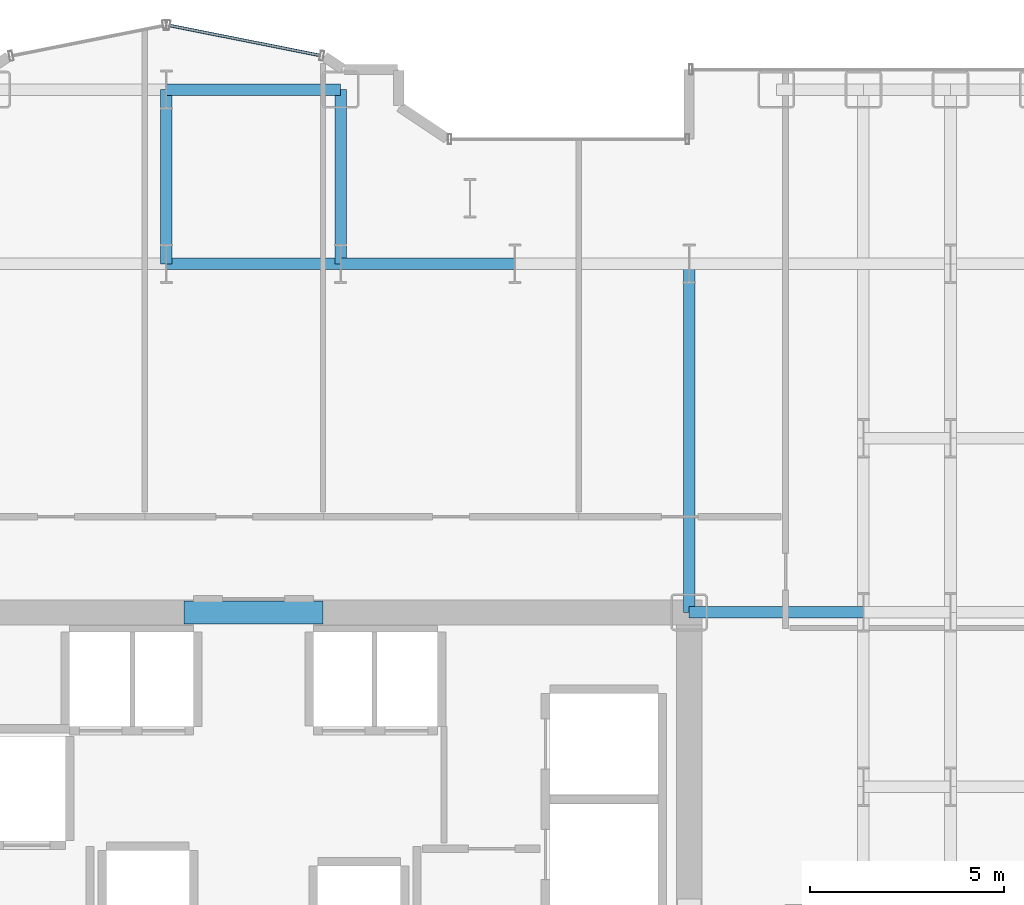
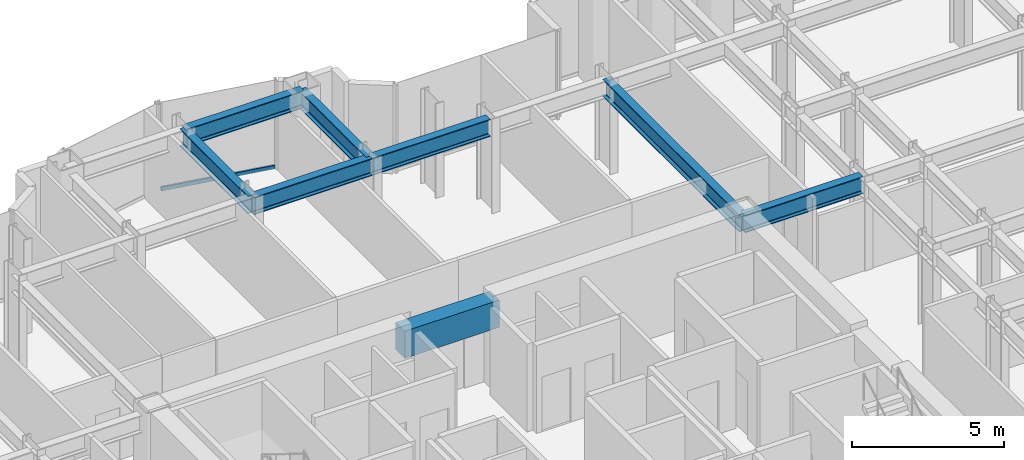
# One storey, part 11 of 25: 8 beams, 1 member, 1 element without a shape of its own.
"""IFC4 building model written with IfcOpenShell, lengths in metres."""

from ifc_helpers import new_model, si_unit, direction, frame, origin, origin_2d, place, context, subcontext, project, spatial, rectangle, hollow_rectangle, i_section, extrude, source, transform, mapped, material, layer, layer_set, material_profile, profile_set, type_object, element, aggregate, save


model = new_model("IFC4")

# Units and contexts
model_context = context("Model", 3, precision=1e-05, world=origin(), true_north=direction((0.0, 1.0)))
body_context = subcontext(model_context, "Body", "Model", "MODEL_VIEW")
ifc_project = project(units=[si_unit("LENGTHUNIT", "METRE"), si_unit("AREAUNIT", "SQUARE_METRE"), si_unit("VOLUMEUNIT", "CUBIC_METRE"), si_unit("PLANEANGLEUNIT", "RADIAN"), si_unit("MASSUNIT", "GRAM", prefix="KILO")], contexts=[model_context])

# Site, building, storey
site_placement = place(None, origin())
site = spatial("IfcSite", under=ifc_project, at=site_placement, CompositionType="ELEMENT")
building_placement = place(site_placement, origin())
building = spatial("IfcBuilding", under=site, at=building_placement, Name="Nefas-Gora Pilgrimage Tower", CompositionType="ELEMENT")
storey_placement = place(building_placement, frame((0.0, 0.0, 74.800048828125)))
storey = spatial("IfcBuildingStorey", under=building, at=storey_placement, Name="L17", CompositionType="ELEMENT", Elevation=74.800048828125)

# Beams
ifc_material_1 = material(Name="Concrete C60/75", Category="concrete")
ifc_material_profile_1 = material_profile(ifc_material_1, rectangle(XDim=0.60009765625, YDim=1.10009765625, at=origin_2d()), Name="RC 600x1100")
ifc_profile_set_1 = profile_set([ifc_material_profile_1], Name="Concrete C60/75")
beam_type_1 = type_object("IfcBeamType", Name="BM-LIN-RC1100", PredefinedType="LINTEL", material=ifc_profile_set_1)
shared_shape_1 = source(origin(), body_context, "Body", "SweptSolid", [
    extrude(rectangle(XDim=0.60009765625, YDim=1.10009765625, at=origin_2d()), origin(), (0.0, 0.0, 1.0), 3.60009765625),
])
beam_1_placement = place(storey_placement, frame((-1.800048828125, 9.0, 3.0), z_axis=(1.0, 0.0, 0.0), x_axis=(0.0, 1.0, 0.0)))
element("IfcBeam", 1, at=beam_1_placement, inside=storey, type_object=beam_type_1, Name="L17 Core Coupling Lintel Beam N", PredefinedType="LINTEL", context=body_context, shape_type="MappedRepresentation", body=[
    mapped(shared_shape_1, transform((0.0, 0.0, 0.0), x_axis=(1.0, 0.0, 0.0), y_axis=(0.0, 1.0, 0.0), z_axis=(0.0, 0.0, 1.0), scale=1.0)),
])
ifc_material_2 = material(Name="Steel S355", Category="steel")
ifc_material_profile_2 = material_profile(ifc_material_2, i_section(OverallWidth=0.300048828125, OverallDepth=0.699951171875, WebThickness=0.01708984375, FlangeThickness=0.031982421875, FilletRadius=0.027099609375, at=origin_2d()), Name="HEB 700")
ifc_profile_set_2 = profile_set([ifc_material_profile_2], Name="Steel S355")
beam_type_2 = type_object("IfcBeamType", Name="BM-GIR-HEB700", PredefinedType="BEAM", material=ifc_profile_set_2)
shared_shape_2 = source(origin(), body_context, "Body", "SweptSolid", [
    extrude(i_section(OverallWidth=0.300048828125, OverallDepth=0.699951171875, WebThickness=0.01708984375, FlangeThickness=0.031982421875, FilletRadius=0.027099609375, at=origin_2d()), origin(), (0.0, 0.0, 1.0), 9.0),
])
beam_2_placement = place(storey_placement, frame((11.25, 9.0, 3.199951171875), z_axis=(0.0, 1.0, 0.0), x_axis=(-1.0, 0.0, 0.0)))
element("IfcBeam", 2, at=beam_2_placement, inside=storey, type_object=beam_type_2, Name="L17 G-02 beam", PredefinedType="BEAM", context=body_context, shape_type="MappedRepresentation", body=[
    mapped(shared_shape_2, transform((0.0, 0.0, 0.0), x_axis=(1.0, 0.0, 0.0), y_axis=(0.0, 1.0, 0.0), z_axis=(0.0, 0.0, 1.0), scale=1.0)),
])
shared_shape_3 = source(origin(), body_context, "Body", "SweptSolid", [
    extrude(i_section(OverallWidth=0.300048828125, OverallDepth=0.699951171875, WebThickness=0.01708984375, FlangeThickness=0.031982421875, FilletRadius=0.027099609375, at=origin_2d()), origin(), (0.0, 0.0, 1.0), 4.5),
])
for number, where, z_axis, x_axis, name in (
    (3, (-2.25, 18.0, 3.199951171875), (0.0, 1.0, 0.0), (-1.0, 0.0, 0.0), "L17 G-02 beam"),
    (4, (-2.25, 18.0, 3.199951171875), (1.0, 0.0, 0.0), (0.0, 1.0, 0.0), "L17 G-02 beam"),
    (5, (-2.25, 22.5, 3.199951171875), (1.0, 0.0, 0.0), (0.0, 1.0, 0.0), "L17 G-02 beam"),
    (6, (2.25, 18.0, 3.199951171875), (0.0, 1.0, 0.0), (-1.0, 0.0, 0.0), "L17 G-02 beam"),
    (7, (2.25, 18.0, 3.199951171875), (1.0, 0.0, 0.0), (0.0, 1.0, 0.0), "L17 G-02 beam"),
    (8, (11.25, 9.0, 3.199951171875), (1.0, 0.0, 0.0), (0.0, 1.0, 0.0), "L17 G-02 beam"),
):
    element("IfcBeam", number, at=place(storey_placement, frame(where, z_axis=z_axis, x_axis=x_axis)), inside=storey, type_object=beam_type_2, Name=name, PredefinedType="BEAM", context=body_context, shape_type="MappedRepresentation", body=[
        mapped(shared_shape_3, transform((0.0, 0.0, 0.0), x_axis=(1.0, 0.0, 0.0), y_axis=(0.0, 1.0, 0.0), z_axis=(0.0, 0.0, 1.0), scale=1.0)),
    ])

# Curtain wall, member
ifc_material_3 = material(Name="Dark ceramic-fritted solar-control aluminium-glass curtain wall", Category="aluminium")
ifc_layer = layer(ifc_material_3, 0.219970703125)
ifc_layer_set = layer_set([ifc_layer], Name="Dark ceramic-fritted solar-control aluminium-glass curtain wall")
curtain_wall_type = type_object("IfcCurtainWallType", Name="CW-SYS-5", PredefinedType="NOTDEFINED", material=ifc_layer_set)
curtain_wall_placement = place(storey_placement, origin())
curtain_wall = element("IfcCurtainWall", 9, at=curtain_wall_placement, inside=storey, type_object=curtain_wall_type, Name="L17 Unitised Curtain Wall CW5", PredefinedType="NOTDEFINED")
ifc_material_4 = material(Name="Anodised architectural aluminium", Category="aluminium")
ifc_material_profile_3 = material_profile(ifc_material_4, hollow_rectangle(XDim=0.080078125, YDim=0.159912109375, WallThickness=0.00439453125, InnerFilletRadius=0.00439453125, OuterFilletRadius=0.009033203125, at=origin_2d()), Name="ALU TRANSOM 80x160")
ifc_profile_set_3 = profile_set([ifc_material_profile_3], Name="Anodised architectural aluminium")
member_type = type_object("IfcMemberType", Name="CWM-TRN-5", PredefinedType="USERDEFINED", material=ifc_profile_set_3)
shared_shape_4 = source(origin(), body_context, "Body", "SweptSolid", [
    extrude(hollow_rectangle(XDim=0.080078125, YDim=0.159912109375, WallThickness=0.00439453125, InnerFilletRadius=0.00439453125, OuterFilletRadius=0.009033203125, at=origin_2d()), origin(), (0.0, 0.0, 1.0), 3.95654296875),
])
member_placement = place(storey_placement, frame((1.718994140625, 23.3828125, 0.050048828125), z_axis=(-0.980781880918, 0.195107411605, 0.0), x_axis=(-0.195107411605, -0.980781880918, 0.0)))
member = element("IfcMember", 10, at=member_placement, type_object=member_type, Name="CW5 Spandrel Transom", ObjectType="TRANSOM", PredefinedType="USERDEFINED", context=body_context, shape_type="MappedRepresentation", body=[
    mapped(shared_shape_4, transform((0.0, 0.0, 0.0), x_axis=(1.0, 0.0, 0.0), y_axis=(0.0, 1.0, 0.0), z_axis=(0.0, 0.0, 1.0), scale=1.0)),
])
aggregate(curtain_wall, [member])

save(model, "model.ifc")
